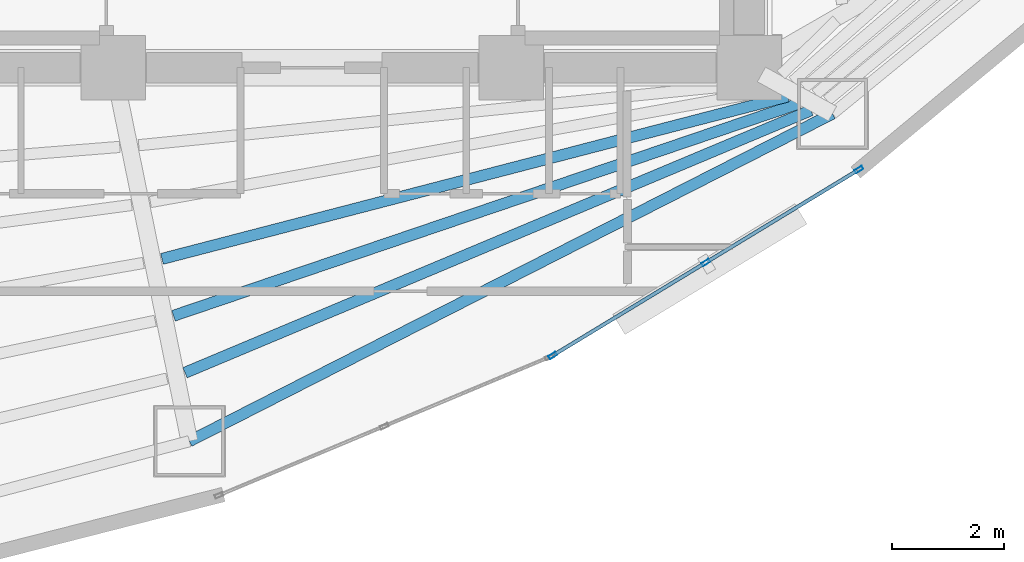
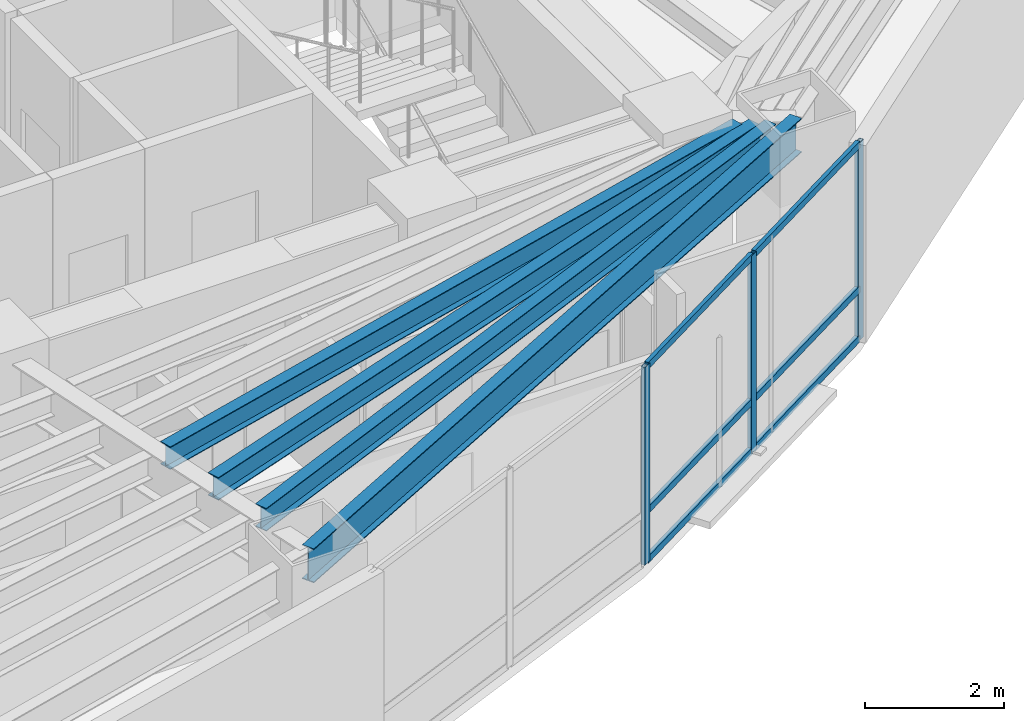
# One storey, part 5 of 18: 9 members, 4 beams, 1 element without a shape of its own.
"""IFC4 building model written with IfcOpenShell, lengths in metres."""

from ifc_helpers import new_model, si_unit, direction, frame, origin, origin_2d, place, context, subcontext, project, spatial, hollow_rectangle, i_section, extrude, material, layer, layer_set, material_profile, profile_set, type_object, element, aggregate, save


model = new_model("IFC4")

# Units and contexts
model_context = context("Model", 3, precision=1e-05, world=origin(), true_north=direction((0.0, 1.0)))
body_context = subcontext(model_context, "Body", "Model", "MODEL_VIEW")
ifc_project = project(units=[si_unit("LENGTHUNIT", "METRE"), si_unit("AREAUNIT", "SQUARE_METRE"), si_unit("VOLUMEUNIT", "CUBIC_METRE"), si_unit("PLANEANGLEUNIT", "RADIAN"), si_unit("MASSUNIT", "GRAM", prefix="KILO")], contexts=[model_context])

# Site, building, storey
site_placement = place(None, origin())
site = spatial("IfcSite", under=ifc_project, at=site_placement, CompositionType="ELEMENT")
building_placement = place(site_placement, origin())
building = spatial("IfcBuilding", under=site, at=building_placement, Name="Menara Vayukalpa", CompositionType="ELEMENT")
storey_placement = place(building_placement, frame((0.0, 0.0, 96.5400390625)))
storey = spatial("IfcBuildingStorey", under=building, at=storey_placement, Name="L23", CompositionType="ELEMENT", Elevation=96.5400390625)

# Beams
ifc_material_1 = material(Name="Steel S355", Category="steel")
ifc_material_profile_1 = material_profile(ifc_material_1, i_section(OverallWidth=0.199951171875, OverallDepth=0.39990234375, WebThickness=0.008056640625, FlangeThickness=0.012939453125, at=origin_2d()), Name="WF 400x200x8x13")
ifc_profile_set_1 = profile_set([ifc_material_profile_1], Name="Steel S355")
beam_type_1 = type_object("IfcBeamType", Name="BM-SJ2", PredefinedType="JOIST", material=ifc_profile_set_1)
beam_1_placement = place(storey_placement, frame((22.918701171875, 13.78662109375, 3.27001953125), z_axis=(0.967921665574, 0.251252162802, 0.0), x_axis=(-0.251252162802, 0.967921665574, 0.0)))
element("IfcBeam", 1, at=beam_1_placement, inside=storey, type_object=beam_type_1, Name="L23 Secondary Floor Joist SJ08-3", PredefinedType="JOIST", context=body_context, shape_type="SweptSolid", body=[
    extrude(i_section(OverallWidth=0.199951171875, OverallDepth=0.39990234375, WebThickness=0.008056640625, FlangeThickness=0.012939453125, at=origin_2d()), origin(), (0.0, 0.0, 1.0), 11.539794921875),
])
beam_2_placement = place(storey_placement, frame((23.12451171875, 12.77099609375, 3.27001953125), z_axis=(0.94694934653, 0.321382848183, 0.0), x_axis=(-0.321382848183, 0.94694934653, 0.0)))
element("IfcBeam", 2, at=beam_2_placement, inside=storey, type_object=beam_type_1, Name="L23 Secondary Floor Joist SJ08-4", PredefinedType="JOIST", context=body_context, shape_type="SweptSolid", body=[
    extrude(i_section(OverallWidth=0.199951171875, OverallDepth=0.39990234375, WebThickness=0.008056640625, FlangeThickness=0.012939453125, at=origin_2d()), origin(), (0.0, 0.0, 1.0), 11.7958984375),
])
beam_3_placement = place(storey_placement, frame((23.32958984375, 11.75439453125, 3.27001953125), z_axis=(0.922216637658, 0.386673600375, 0.0), x_axis=(-0.386673600375, 0.922216637658, 0.0)))
element("IfcBeam", 3, at=beam_3_placement, inside=storey, type_object=beam_type_1, Name="L23 Secondary Floor Joist SJ08-5", PredefinedType="JOIST", context=body_context, shape_type="SweptSolid", body=[
    extrude(i_section(OverallWidth=0.199951171875, OverallDepth=0.39990234375, WebThickness=0.008056640625, FlangeThickness=0.012939453125, at=origin_2d()), origin(), (0.0, 0.0, 1.0), 12.114501953125),
])
ifc_material_2 = material(Name="Steel S355", Category="steel")
ifc_material_profile_2 = material_profile(ifc_material_2, i_section(OverallWidth=0.199951171875, OverallDepth=0.60009765625, WebThickness=0.010986328125, FlangeThickness=0.01708984375, at=origin_2d()), Name="WF 600x200x11x17")
ifc_profile_set_2 = profile_set([ifc_material_profile_2], Name="Steel S355")
beam_type_2 = type_object("IfcBeamType", Name="BM-SP1", PredefinedType="SPANDREL", material=ifc_profile_set_2)
beam_4_placement = place(storey_placement, frame((23.408203125, 10.53271484375, 3.169921875), z_axis=(0.891097345221, 0.453812209333, 0.0), x_axis=(-0.453812209333, 0.891097345221, 0.0)))
element("IfcBeam", 4, at=beam_4_placement, inside=storey, type_object=beam_type_2, Name="L23 Perimeter Spandrel Beam SP08", PredefinedType="SPANDREL", context=body_context, shape_type="SweptSolid", body=[
    extrude(i_section(OverallWidth=0.199951171875, OverallDepth=0.60009765625, WebThickness=0.010986328125, FlangeThickness=0.01708984375, at=origin_2d()), origin(), (0.0, 0.0, 1.0), 12.88134765625),
])

# Curtain wall, members
ifc_material_3 = material(Name="Anodised Terracotta Aluminium Alloy 6063-T6", Category="masonry")
ifc_layer = layer(ifc_material_3, 0.14990234375)
ifc_layer_set = layer_set([ifc_layer], Name="Anodised Terracotta Aluminium Alloy 6063-T6")
curtain_wall_type = type_object("IfcCurtainWallType", Name="CW-CW3", PredefinedType="USERDEFINED", material=ifc_layer_set)
curtain_wall_placement = place(storey_placement, origin())
curtain_wall = element("IfcCurtainWall", 5, at=curtain_wall_placement, inside=storey, type_object=curtain_wall_type, Name="L23 Mid Rise Terracotta Ribbon Curtain Wall CW3 17", ObjectType="UNITISED", PredefinedType="USERDEFINED")
ifc_material_4 = material(Name="Anodised Terracotta Aluminium Alloy 6063-T6", Category="masonry")
ifc_material_profile_3 = material_profile(ifc_material_4, hollow_rectangle(XDim=0.06494140625, YDim=0.14990234375, WallThickness=0.00341796875, at=origin_2d()), Name="ALU 65x150x3.5")
ifc_profile_set_3 = profile_set([ifc_material_profile_3], Name="Anodised Terracotta Aluminium Alloy 6063-T6")
member_type_1 = type_object("IfcMemberType", Name="CWM-CW3", PredefinedType="MULLION", material=ifc_profile_set_3)
member_1_placement = place(storey_placement, frame((29.8935546875, 12.061767578125, 0.0), z_axis=(0.0, 0.0, 1.0), x_axis=(-0.519182959112, 0.854663123674, 0.0)))
member_1 = element("IfcMember", 6, at=member_1_placement, type_object=member_type_1, Name="CW3 mullion 1", PredefinedType="MULLION", context=body_context, shape_type="SweptSolid", body=[
    extrude(hollow_rectangle(XDim=0.06494140625, YDim=0.14990234375, WallThickness=0.00341796875, at=origin_2d()), origin(), (0.0, 0.0, 1.0), 3.469970703125),
])
member_2_placement = place(storey_placement, frame((32.6259765625, 13.721435546875, 0.0), z_axis=(0.0, 0.0, 1.0), x_axis=(-0.519182959112, 0.854663123674, 0.0)))
member_2 = element("IfcMember", 7, at=member_2_placement, type_object=member_type_1, Name="CW3 mullion 2", PredefinedType="MULLION", context=body_context, shape_type="SweptSolid", body=[
    extrude(hollow_rectangle(XDim=0.06494140625, YDim=0.14990234375, WallThickness=0.00341796875, at=origin_2d()), origin(), (0.0, 0.0, 1.0), 3.469970703125),
])
member_3_placement = place(storey_placement, frame((35.358154296875, 15.38134765625, 0.0), z_axis=(0.0, 0.0, 1.0), x_axis=(-0.519182959112, 0.854663123674, 0.0)))
member_3 = element("IfcMember", 8, at=member_3_placement, type_object=member_type_1, Name="CW3 mullion 3", PredefinedType="MULLION", context=body_context, shape_type="SweptSolid", body=[
    extrude(hollow_rectangle(XDim=0.06494140625, YDim=0.14990234375, WallThickness=0.00341796875, at=origin_2d()), origin(), (0.0, 0.0, 1.0), 3.469970703125),
])
ifc_material_5 = material(Name="Anodised Terracotta Aluminium Alloy 6063-T6", Category="masonry")
ifc_material_profile_4 = material_profile(ifc_material_5, hollow_rectangle(XDim=0.06494140625, YDim=0.1201171875, WallThickness=0.00341796875, at=origin_2d()), Name="ALU 65x120x3.5")
ifc_profile_set_4 = profile_set([ifc_material_profile_4], Name="Anodised Terracotta Aluminium Alloy 6063-T6")
member_type_2 = type_object("IfcMemberType", Name="CWT-CW3", PredefinedType="USERDEFINED", material=ifc_profile_set_4)
member_4_placement = place(storey_placement, frame((29.92138671875, 12.07861328125, 0.032470703125), z_axis=(0.854673871166, 0.519165266506, 0.0), x_axis=(-0.519165266506, 0.854673871166, 0.0)))
member_4 = element("IfcMember", 9, at=member_4_placement, type_object=member_type_2, Name="CW3 transom 1.1", ObjectType="TRANSOM", PredefinedType="USERDEFINED", context=body_context, shape_type="SweptSolid", body=[
    extrude(hollow_rectangle(XDim=0.06494140625, YDim=0.1201171875, WallThickness=0.00341796875, at=origin_2d()), origin(), (0.0, 0.0, 1.0), 3.1318359375),
])
member_5_placement = place(storey_placement, frame((29.92138671875, 12.07861328125, 0.89990234375), z_axis=(0.854673871166, 0.519165266506, 0.0), x_axis=(-0.519165266506, 0.854673871166, 0.0)))
member_5 = element("IfcMember", 10, at=member_5_placement, type_object=member_type_2, Name="CW3 transom 1.2", ObjectType="TRANSOM", PredefinedType="USERDEFINED", context=body_context, shape_type="SweptSolid", body=[
    extrude(hollow_rectangle(XDim=0.06494140625, YDim=0.1201171875, WallThickness=0.00341796875, at=origin_2d()), origin(), (0.0, 0.0, 1.0), 3.1318359375),
])
member_6_placement = place(storey_placement, frame((29.92138671875, 12.07861328125, 3.4375), z_axis=(0.854673871166, 0.519165266506, 0.0), x_axis=(-0.519165266506, 0.854673871166, 0.0)))
member_6 = element("IfcMember", 11, at=member_6_placement, type_object=member_type_2, Name="CW3 transom 1.3", ObjectType="TRANSOM", PredefinedType="USERDEFINED", context=body_context, shape_type="SweptSolid", body=[
    extrude(hollow_rectangle(XDim=0.06494140625, YDim=0.1201171875, WallThickness=0.00341796875, at=origin_2d()), origin(), (0.0, 0.0, 1.0), 3.1318359375),
])
member_7_placement = place(storey_placement, frame((32.65380859375, 13.73828125, 0.032470703125), z_axis=(0.854673871166, 0.519165266506, 0.0), x_axis=(-0.519165266506, 0.854673871166, 0.0)))
member_7 = element("IfcMember", 12, at=member_7_placement, type_object=member_type_2, Name="CW3 transom 2.1", ObjectType="TRANSOM", PredefinedType="USERDEFINED", context=body_context, shape_type="SweptSolid", body=[
    extrude(hollow_rectangle(XDim=0.06494140625, YDim=0.1201171875, WallThickness=0.00341796875, at=origin_2d()), origin(), (0.0, 0.0, 1.0), 3.1318359375),
])
member_8_placement = place(storey_placement, frame((32.65380859375, 13.73828125, 0.89990234375), z_axis=(0.854673871166, 0.519165266506, 0.0), x_axis=(-0.519165266506, 0.854673871166, 0.0)))
member_8 = element("IfcMember", 13, at=member_8_placement, type_object=member_type_2, Name="CW3 transom 2.2", ObjectType="TRANSOM", PredefinedType="USERDEFINED", context=body_context, shape_type="SweptSolid", body=[
    extrude(hollow_rectangle(XDim=0.06494140625, YDim=0.1201171875, WallThickness=0.00341796875, at=origin_2d()), origin(), (0.0, 0.0, 1.0), 3.1318359375),
])
member_9_placement = place(storey_placement, frame((32.65380859375, 13.73828125, 3.4375), z_axis=(0.854673871166, 0.519165266506, 0.0), x_axis=(-0.519165266506, 0.854673871166, 0.0)))
member_9 = element("IfcMember", 14, at=member_9_placement, type_object=member_type_2, Name="CW3 transom 2.3", ObjectType="TRANSOM", PredefinedType="USERDEFINED", context=body_context, shape_type="SweptSolid", body=[
    extrude(hollow_rectangle(XDim=0.06494140625, YDim=0.1201171875, WallThickness=0.00341796875, at=origin_2d()), origin(), (0.0, 0.0, 1.0), 3.1318359375),
])
aggregate(curtain_wall, [member_1, member_2, member_3, member_4, member_5, member_6, member_7, member_8, member_9])

save(model, "model.ifc")
